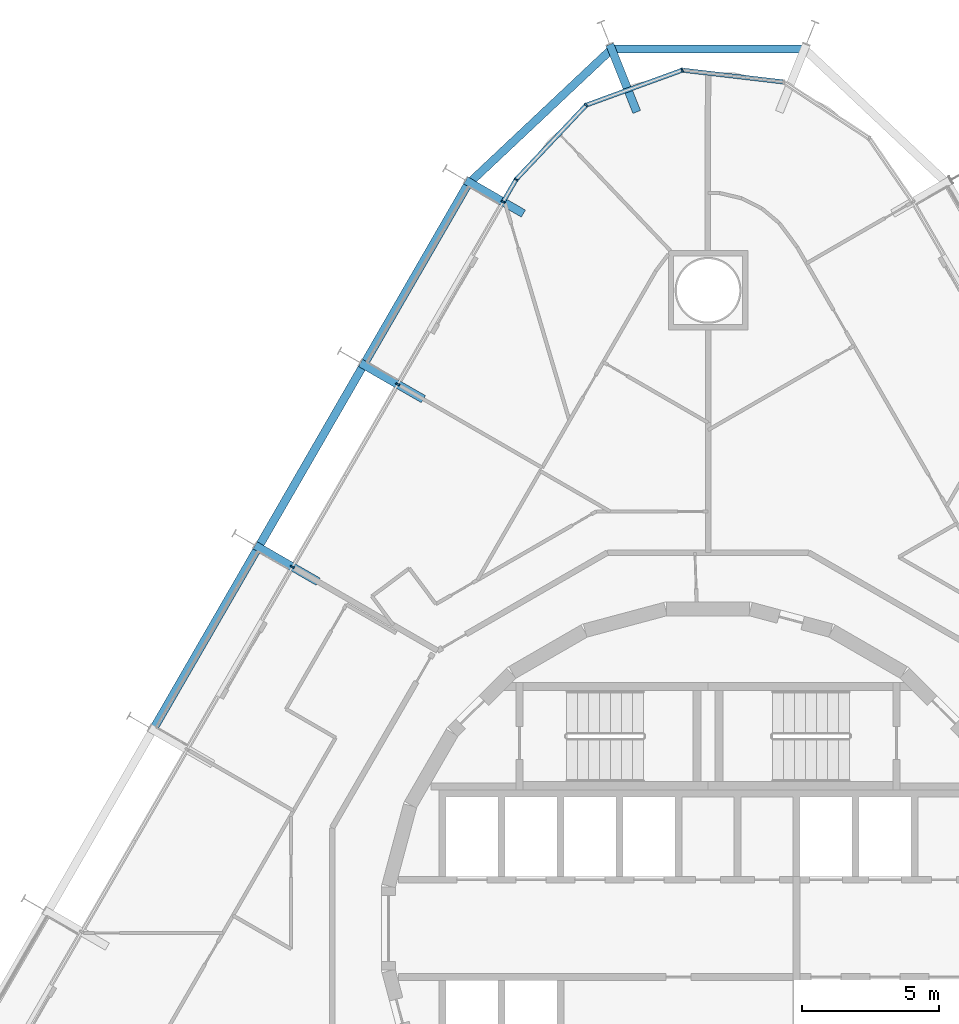
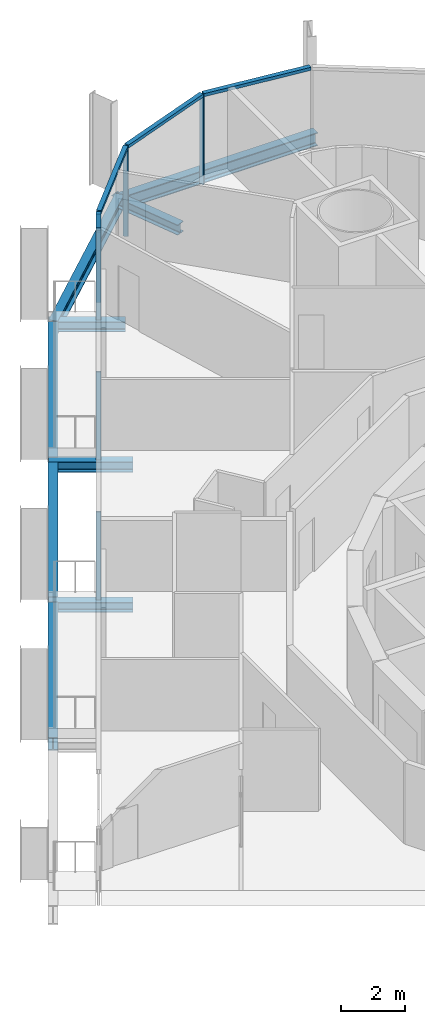
# One storey, part 9 of 20: 10 members, 9 beams, 2 elements without a shape of their own.
"""IFC4 building model written with IfcOpenShell, lengths in metres."""

from ifc_helpers import new_model, si_unit, direction, frame, origin, origin_2d, place, context, subcontext, project, spatial, rectangle, i_section, extrude, material, layer, layer_set, material_profile, profile_set, type_object, element, aggregate, save


model = new_model("IFC4")

# Units and contexts
model_context = context("Model", 3, precision=1e-05, world=origin(), true_north=direction((0.0, 1.0)))
body_context = subcontext(model_context, "Body", "Model", "MODEL_VIEW")
ifc_project = project(units=[si_unit("LENGTHUNIT", "METRE"), si_unit("AREAUNIT", "SQUARE_METRE"), si_unit("VOLUMEUNIT", "CUBIC_METRE"), si_unit("PLANEANGLEUNIT", "RADIAN"), si_unit("MASSUNIT", "GRAM", prefix="KILO")], contexts=[model_context])

# Site, building, storey
site_placement = place(None, origin())
site = spatial("IfcSite", under=ifc_project, at=site_placement, CompositionType="ELEMENT")
building_placement = place(site_placement, origin())
building = spatial("IfcBuilding", under=site, at=building_placement, Name="Spindle Arch Residences", CompositionType="ELEMENT")
storey_placement = place(building_placement, frame((0.0, 0.0, 41.89990234375)))
storey = spatial("IfcBuildingStorey", under=building, at=storey_placement, Name="L08", CompositionType="ELEMENT", Elevation=41.89990234375)

# Curtain wall, members
ifc_material_1 = material(Name="Aluminium bronze unitised frame with tinted glass", Category="aluminium")
ifc_layer_1 = layer(ifc_material_1, 0.159912109375)
ifc_layer_set_1 = layer_set([ifc_layer_1], Name="CW-D corner wall on the fillet arcs")
curtain_wall_type_1 = type_object("IfcCurtainWallType", Name="CW-D corner wall on the fillet arcs", PredefinedType="NOTDEFINED", material=ifc_layer_set_1)
curtain_wall_1_placement = place(storey_placement, origin())
curtain_wall_1 = element("IfcCurtainWall", 1, at=curtain_wall_1_placement, inside=storey, type_object=curtain_wall_type_1, Name="CW-D L08 run 3", PredefinedType="NOTDEFINED")
ifc_material_2 = material(Name="Aluminium bronze anodised mullion", Category="aluminium")
ifc_material_profile_1 = material_profile(ifc_material_2, rectangle(XDim=0.159912109375, YDim=0.06005859375, at=origin_2d()), Name="MU 60x160")
ifc_profile_set_1 = profile_set([ifc_material_profile_1], Name="Aluminium bronze anodised mullion")
member_type_1 = type_object("IfcMemberType", Name="Bronze mullion 60x160", PredefinedType="MULLION", material=ifc_profile_set_1)
member_1_placement = place(storey_placement, frame((-0.93798828125, 31.28515625, -0.3798828125), z_axis=(0.0, 0.0, 1.0), x_axis=(0.342020141538, -0.939692621437, 0.0)))
member_1 = element("IfcMember", 2, at=member_1_placement, type_object=member_type_1, Name="CW-D mullion 03", PredefinedType="MULLION", context=body_context, shape_type="SweptSolid", body=[
    extrude(rectangle(XDim=0.159912109375, YDim=0.06005859375, at=origin_2d()), origin(), (0.0, 0.0, 1.0), 3.3798828125),
])
member_2_placement = place(storey_placement, frame((-4.43994140625, 30.010498046875, -0.3798828125), z_axis=(0.0, 0.0, 1.0), x_axis=(0.727373640284, -0.686241639236, 0.0)))
member_2 = element("IfcMember", 3, at=member_2_placement, type_object=member_type_1, Name="CW-D mullion 04", PredefinedType="MULLION", context=body_context, shape_type="SweptSolid", body=[
    extrude(rectangle(XDim=0.159912109375, YDim=0.06005859375, at=origin_2d()), origin(), (0.0, 0.0, 1.0), 3.3798828125),
])
member_3_placement = place(storey_placement, frame((-6.99755859375, 27.2998046875, -0.3798828125), z_axis=(0.0, 0.0, 1.0), x_axis=(0.866025403784, -0.5, 0.0)))
member_3 = element("IfcMember", 4, at=member_3_placement, type_object=member_type_1, Name="CW-D mullion 05", PredefinedType="MULLION", context=body_context, shape_type="SweptSolid", body=[
    extrude(rectangle(XDim=0.159912109375, YDim=0.06005859375, at=origin_2d()), origin(), (0.0, 0.0, 1.0), 3.3798828125),
])

ifc_material_3 = material(Name="Aluminium bronze unitised frame with tinted glass", Category="aluminium")
ifc_layer_2 = layer(ifc_material_3, 0.159912109375)
ifc_layer_set_2 = layer_set([ifc_layer_2], Name="CW-C typical residential unitised wall")
curtain_wall_type_2 = type_object("IfcCurtainWallType", Name="CW-C typical residential unitised wall", PredefinedType="NOTDEFINED", material=ifc_layer_set_2)
curtain_wall_2_placement = place(storey_placement, origin())
curtain_wall_2 = element("IfcCurtainWall", 5, at=curtain_wall_2_placement, inside=storey, type_object=curtain_wall_type_2, Name="CW-C L08 run 4", PredefinedType="NOTDEFINED")
member_4_placement = place(storey_placement, frame((-7.46923828125, 26.48291015625, -0.3798828125), z_axis=(0.0, 0.0, 1.0), x_axis=(0.866025403784, -0.5, 0.0)))
member_4 = element("IfcMember", 6, at=member_4_placement, type_object=member_type_1, Name="CW-C mullion 13", PredefinedType="MULLION", context=body_context, shape_type="SweptSolid", body=[
    extrude(rectangle(XDim=0.159912109375, YDim=0.06005859375, at=origin_2d()), origin(), (0.0, 0.0, 1.0), 3.3798828125),
])
member_5_placement = place(storey_placement, frame((-11.309326171875, 19.83154296875, -0.3798828125), z_axis=(0.0, 0.0, 1.0), x_axis=(0.866025403784, -0.5, 0.0)))
member_5 = element("IfcMember", 7, at=member_5_placement, type_object=member_type_1, Name="CW-C mullion 14", PredefinedType="MULLION", context=body_context, shape_type="SweptSolid", body=[
    extrude(rectangle(XDim=0.159912109375, YDim=0.06005859375, at=origin_2d()), origin(), (0.0, 0.0, 1.0), 3.3798828125),
])
member_6_placement = place(storey_placement, frame((-15.149169921875, 13.180419921875, -0.3798828125), z_axis=(0.0, 0.0, 1.0), x_axis=(0.866025403784, -0.5, 0.0)))
member_6 = element("IfcMember", 8, at=member_6_placement, type_object=member_type_1, Name="CW-C mullion 15", PredefinedType="MULLION", context=body_context, shape_type="SweptSolid", body=[
    extrude(rectangle(XDim=0.159912109375, YDim=0.06005859375, at=origin_2d()), origin(), (0.0, 0.0, 1.0), 3.3798828125),
])
aggregate(curtain_wall_2, [member_4, member_5, member_6])

# Member
ifc_material_4 = material(Name="Aluminium bronze anodised transom", Category="aluminium")
ifc_material_profile_2 = material_profile(ifc_material_4, rectangle(XDim=0.159912109375, YDim=0.1201171875, at=origin_2d()), Name="TR 120x160")
ifc_profile_set_2 = profile_set([ifc_material_profile_2], Name="Aluminium bronze anodised transom")
member_type_2 = type_object("IfcMemberType", Name="Bronze transom 120x160", PredefinedType="USERDEFINED", material=ifc_profile_set_2)
member_7_placement = place(storey_placement, frame((2.733642578125, 30.85595703125, 3.06005859375), z_axis=(-0.993234881174, 0.116122654204, 0.0), x_axis=(-0.116122654204, -0.993234881174, 0.0)))
member_7 = element("IfcMember", 9, at=member_7_placement, type_object=member_type_2, Name="CW-D transom 02", ObjectType="TRANSOM", PredefinedType="USERDEFINED", context=body_context, shape_type="SweptSolid", body=[
    extrude(rectangle(XDim=0.159912109375, YDim=0.1201171875, at=origin_2d()), origin(), (0.0, 0.0, 1.0), 3.666748046875),
])

member_8_placement = place(storey_placement, frame((-0.96630859375, 31.27490234375, 3.06005859375), z_axis=(-0.939686455819, -0.342037080957, 0.0), x_axis=(0.342037080957, -0.939686455819, 0.0)))
member_8 = element("IfcMember", 10, at=member_8_placement, type_object=member_type_2, Name="CW-D transom 03", ObjectType="TRANSOM", PredefinedType="USERDEFINED", context=body_context, shape_type="SweptSolid", body=[
    extrude(rectangle(XDim=0.159912109375, YDim=0.1201171875, at=origin_2d()), origin(), (0.0, 0.0, 1.0), 3.666748046875),
])

member_9_placement = place(storey_placement, frame((-4.460693359375, 29.98876953125, 3.06005859375), z_axis=(-0.686199156324, -0.727413718498, 0.0), x_axis=(0.727413718498, -0.686199156324, 0.0)))
member_9 = element("IfcMember", 11, at=member_9_placement, type_object=member_type_2, Name="CW-D transom 04", ObjectType="TRANSOM", PredefinedType="USERDEFINED", context=body_context, shape_type="SweptSolid", body=[
    extrude(rectangle(XDim=0.159912109375, YDim=0.1201171875, at=origin_2d()), origin(), (0.0, 0.0, 1.0), 3.666748046875),
])

member_10_placement = place(storey_placement, frame((-7.012451171875, 27.27392578125, 3.06005859375), z_axis=(-0.499913830031, -0.866075148324, 0.0), x_axis=(0.866075148324, -0.499913830031, 0.0)))
member_10 = element("IfcMember", 12, at=member_10_placement, type_object=member_type_2, Name="CW-D transom 05", ObjectType="TRANSOM", PredefinedType="USERDEFINED", context=body_context, shape_type="SweptSolid", body=[
    extrude(rectangle(XDim=0.159912109375, YDim=0.1201171875, at=origin_2d()), origin(), (0.0, 0.0, 1.0), 0.883544921875),
])

aggregate(curtain_wall_1, [member_7, member_1, member_8, member_2, member_9, member_3, member_10])

# Beams
ifc_material_5 = material(Name="Steel S460ML, intumescent coating R 120", Category="steel")
ifc_material_profile_3 = material_profile(ifc_material_5, i_section(OverallWidth=0.300048828125, OverallDepth=0.5, WebThickness=0.014404296875, FlangeThickness=0.028076171875, FilletRadius=0.027099609375, at=origin_2d()), Name="HEB 500")
ifc_profile_set_3 = profile_set([ifc_material_profile_3], Name="Steel S460ML, intumescent coating R 120")
beam_type_1 = type_object("IfcBeamType", Name="Exoskeleton edge beam HEB 500", PredefinedType="BEAM", material=ifc_profile_set_3)
beam_1_placement = place(storey_placement, frame((3.6181640625, 32.051513671875, -0.6298828125), z_axis=(-1.0, 0.0, 0.0), x_axis=(0.0, -1.0, 0.0)))
element("IfcBeam", 13, at=beam_1_placement, inside=storey, type_object=beam_type_1, Name="Exoskeleton edge beam 12", PredefinedType="BEAM", context=body_context, shape_type="SweptSolid", body=[
    extrude(i_section(OverallWidth=0.300048828125, OverallDepth=0.5, WebThickness=0.014404296875, FlangeThickness=0.028076171875, FilletRadius=0.027099609375, at=origin_2d()), origin(), (0.0, 0.0, 1.0), 7.236328125),
])
beam_2_placement = place(storey_placement, frame((-3.45849609375, 32.105712890625, -0.6298828125), z_axis=(-0.728394714383, -0.685157748303, 0.0), x_axis=(0.685157748303, -0.728394714383, 0.0)))
element("IfcBeam", 14, at=beam_2_placement, inside=storey, type_object=beam_type_1, Name="Exoskeleton edge beam 13", PredefinedType="BEAM", context=body_context, shape_type="SweptSolid", body=[
    extrude(i_section(OverallWidth=0.300048828125, OverallDepth=0.5, WebThickness=0.014404296875, FlangeThickness=0.028076171875, FilletRadius=0.027099609375, at=origin_2d()), origin(), (0.0, 0.0, 1.0), 7.250244140625),
])
beam_3_placement = place(storey_placement, frame((-8.775146484375, 27.086669921875, -0.6298828125), z_axis=(-0.500003477455, -0.866023396066, 0.0), x_axis=(0.866023396066, -0.500003477455, 0.0)))
element("IfcBeam", 15, at=beam_3_placement, inside=storey, type_object=beam_type_1, Name="Exoskeleton edge beam 14", PredefinedType="BEAM", context=body_context, shape_type="SweptSolid", body=[
    extrude(i_section(OverallWidth=0.300048828125, OverallDepth=0.5, WebThickness=0.014404296875, FlangeThickness=0.028076171875, FilletRadius=0.027099609375, at=origin_2d()), origin(), (0.0, 0.0, 1.0), 7.419921875),
])
for number, where, z_axis, x_axis, name in (
    (16, (-12.615234375, 20.435546875, -0.6298828125), (-0.49998923004, -0.866031621735, 0.0), (0.866031621735, -0.49998923004, 0.0), "Exoskeleton edge beam 15"),
    (17, (-16.455078125, 13.784423828125, -0.6298828125), (-0.5000139068, -0.866017374541, 0.0), (0.866017374541, -0.5000139068, 0.0), "Exoskeleton edge beam 16"),
):
    element("IfcBeam", number, at=place(storey_placement, frame(where, z_axis=z_axis, x_axis=x_axis)), inside=storey, type_object=beam_type_1, Name=name, PredefinedType="BEAM", context=body_context, shape_type="SweptSolid", body=[
        extrude(i_section(OverallWidth=0.300048828125, OverallDepth=0.5, WebThickness=0.014404296875, FlangeThickness=0.028076171875, FilletRadius=0.027099609375, at=origin_2d()), origin(), (0.0, 0.0, 1.0), 7.420166015625),
    ])
ifc_material_6 = material(Name="Steel S460ML, intumescent coating R 120", Category="steel")
ifc_material_profile_4 = material_profile(ifc_material_6, i_section(OverallWidth=0.300048828125, OverallDepth=0.389892578125, WebThickness=0.010986328125, FlangeThickness=0.01904296875, FilletRadius=0.027099609375, at=origin_2d()), Name="HEA 400")
ifc_profile_set_4 = profile_set([ifc_material_profile_4], Name="Steel S460ML, intumescent coating R 120")
beam_type_2 = type_object("IfcBeamType", Name="Floor outrigger HEA 400", PredefinedType="BEAM", material=ifc_profile_set_4)
beam_4_placement = place(storey_placement, frame((-3.581298828125, 32.220703125, -0.574951171875), z_axis=(0.371104734129, -0.928591016706, 0.0), x_axis=(0.928591016706, 0.371104734129, 0.0)))
element("IfcBeam", 18, at=beam_4_placement, inside=storey, type_object=beam_type_2, Name="Floor outrigger 13", PredefinedType="BEAM", context=body_context, shape_type="SweptSolid", body=[
    extrude(i_section(OverallWidth=0.300048828125, OverallDepth=0.389892578125, WebThickness=0.010986328125, FlangeThickness=0.01904296875, FilletRadius=0.027099609375, at=origin_2d()), origin(), (0.0, 0.0, 1.0), 2.64990234375),
])
beam_5_placement = place(storey_placement, frame((-8.828857421875, 27.267822265625, -0.574951171875), z_axis=(0.866002732682, -0.500039265445, 0.0), x_axis=(0.500039265445, 0.866002732682, 0.0)))
element("IfcBeam", 19, at=beam_5_placement, inside=storey, type_object=beam_type_2, Name="Floor outrigger 14", PredefinedType="BEAM", context=body_context, shape_type="SweptSolid", body=[
    extrude(i_section(OverallWidth=0.300048828125, OverallDepth=0.389892578125, WebThickness=0.010986328125, FlangeThickness=0.01904296875, FilletRadius=0.027099609375, at=origin_2d()), origin(), (0.0, 0.0, 1.0), 2.423583984375),
])
for number, where, z_axis, x_axis, name in (
    (20, (-12.6689453125, 20.61669921875, -0.574951171875), (0.866052124492, -0.499953715521, 0.0), (0.499953715521, 0.866052124492, 0.0), "Floor outrigger 15"),
    (21, (-16.5087890625, 13.965576171875, -0.574951171875), (0.865989200783, -0.500062700197, 0.0), (0.500062700197, 0.865989200783, 0.0), "Floor outrigger 16"),
):
    element("IfcBeam", number, at=place(storey_placement, frame(where, z_axis=z_axis, x_axis=x_axis)), inside=storey, type_object=beam_type_2, Name=name, PredefinedType="BEAM", context=body_context, shape_type="SweptSolid", body=[
        extrude(i_section(OverallWidth=0.300048828125, OverallDepth=0.389892578125, WebThickness=0.010986328125, FlangeThickness=0.01904296875, FilletRadius=0.027099609375, at=origin_2d()), origin(), (0.0, 0.0, 1.0), 2.650146484375),
    ])

save(model, "model.ifc")
